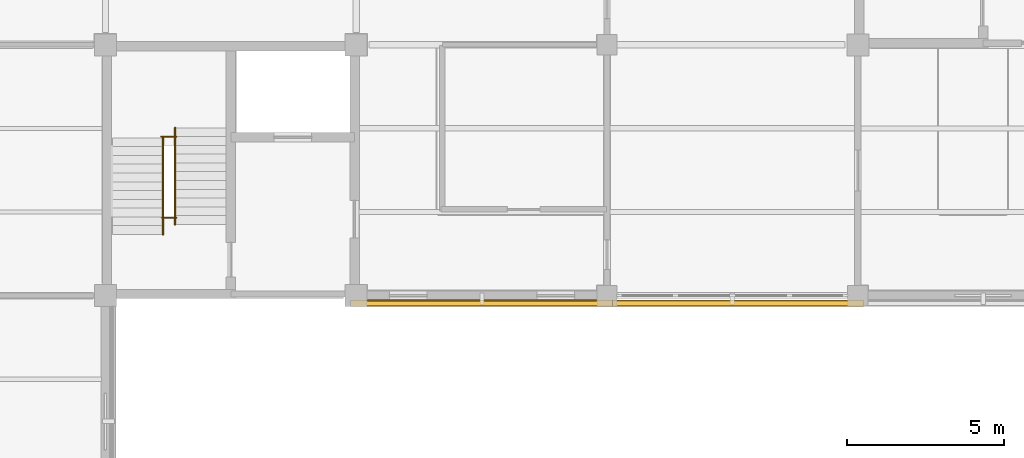
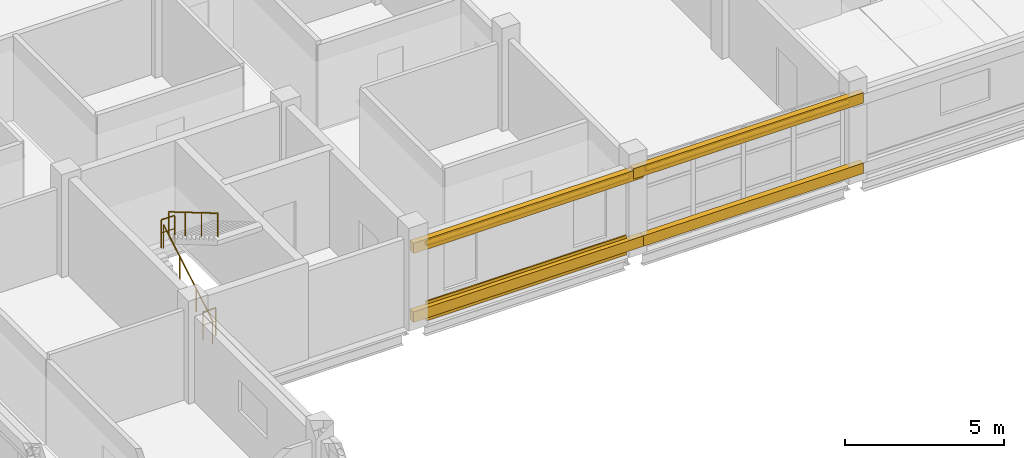
# One storey, part 99 of 107: 5 coverings, 4 railings, 2 shading devices.
"""IFC4 building model written with IfcOpenShell, lengths in metres."""

from ifc_helpers import new_model, si_unit, derived_unit, direction, frame, origin, origin_2d, place, context, subcontext, project, spatial, rectangle, circle, extrude, material, layer, layer_set, material_profile, profile_set, type_object, element, save


model = new_model("IFC4")

# Units and contexts
model_context = context("Model", 3, precision=1e-05, world=origin(), true_north=direction((0.0, 1.0)))
body_context = subcontext(model_context, "Body", "Model", "MODEL_VIEW")
ifc_project = project(units=[si_unit("LENGTHUNIT", "METRE"), si_unit("AREAUNIT", "SQUARE_METRE"), si_unit("VOLUMEUNIT", "CUBIC_METRE"), si_unit("PLANEANGLEUNIT", "RADIAN"), si_unit("MASSUNIT", "GRAM", prefix="KILO"), derived_unit("THERMALTRANSMITTANCEUNIT", [(si_unit("MASSUNIT", "GRAM", prefix="KILO"), 1), (si_unit("TIMEUNIT", "SECOND"), -3), (si_unit("THERMODYNAMICTEMPERATUREUNIT", "KELVIN"), -1)])], contexts=[model_context])

# Site, building, storey
site_placement = place(None, origin())
site = spatial("IfcSite", under=ifc_project, at=site_placement, CompositionType="ELEMENT")
building_placement = place(site_placement, origin())
building = spatial("IfcBuilding", under=site, at=building_placement, Name="Veyamyaing Civic Hall", CompositionType="ELEMENT")
storey_placement = place(building_placement, frame((0.0, 0.0, 13.860107421875)))
storey = spatial("IfcBuildingStorey", under=building, at=storey_placement, Name="L03", CompositionType="ELEMENT", Elevation=13.860107421875)

# Coverings
ifc_material_1 = material(Name="Buff sandstone ashlar cladding", Category="masonry")
ifc_layer_1 = layer(ifc_material_1, 0.050048828125, Name="Buff sandstone ashlar cladding")
ifc_layer_set_1 = layer_set([ifc_layer_1], Name="Buff sandstone ashlar cladding")
covering_type_1 = type_object("IfcCoveringType", Name="CL-01", PredefinedType="CLADDING", material=ifc_layer_set_1)
covering_placement = place(storey_placement, frame((20.012451171875, 87.839111328125, 0.044921875), z_axis=(0.0, 0.0, 1.0), x_axis=(1.0, 0.0, 0.0)))
element("IfcCovering", 1, at=covering_placement, inside=storey, type_object=covering_type_1, Name="Facade spandrel cladding CL-01 L03 S 3.12", PredefinedType="CLADDING", context=body_context, shape_type="SweptSolid", body=[
    extrude(rectangle(XDim=7.27490234375, YDim=0.050048828125, at=origin_2d()), origin(), (0.0, 0.0, 1.0), 0.75),
])
ifc_material_2 = material(Name="White powder-coated aluminium 6063-T6", Category="aluminium")
ifc_layer_2 = layer(ifc_material_2, 0.2099609375, Name="White powder-coated aluminium 6063-T6")
ifc_layer_set_2 = layer_set([ifc_layer_2], Name="White powder-coated aluminium 6063-T6")
covering_type_2 = type_object("IfcCoveringType", Name="CL-03", PredefinedType="CLADDING", material=ifc_layer_set_2)
for number, where, z_axis, x_axis, name in (
    (2, (20.0, 87.760009765625, 2.919921875), (0.0, 0.0, 1.0), (1.0, 0.0, 0.0), "Continuous white head fascia ribbon CL-03 L03 S 3.12"),
    (3, (20.0, 87.760009765625, 0.280029296875), (0.0, 0.0, 1.0), (1.0, 0.0, 0.0), "Continuous white sill fascia ribbon CL-03 L03 S 3.12"),
    (4, (28.0, 87.760009765625, 2.98388671875), (0.0, 0.0, 1.0), (1.0, 0.0, 0.0), "Continuous white head fascia ribbon CL-03 L03 S 4.12"),
    (5, (28.0, 87.760009765625, 0.280029296875), (0.0, 0.0, 1.0), (1.0, 0.0, 0.0), "Continuous white sill fascia ribbon CL-03 L03 S 4.12"),
):
    element("IfcCovering", number, at=place(storey_placement, frame(where, z_axis=z_axis, x_axis=x_axis)), inside=storey, type_object=covering_type_2, Name=name, PredefinedType="CLADDING", context=body_context, shape_type="SweptSolid", body=[
        extrude(rectangle(XDim=8.360107421875, YDim=0.2099609375, at=origin_2d()), origin(), (0.0, 0.0, 1.0), 0.39990234375),
    ])

# Railings
ifc_material_3 = material(Name="Steel S355J2", Category="steel")
railing_type_1 = type_object("IfcRailingType", Name="RL-01", PredefinedType="BALUSTRADE", material=ifc_material_3)
railing_1_placement = place(storey_placement, frame((9.780029296875, 93.070068359375, 1.97998046875)))
element("IfcRailing", 6, at=railing_1_placement, inside=storey, type_object=railing_type_1, Name="Half-landing slot guard RL-01 ST-01 L03", PredefinedType="BALUSTRADE", context=body_context, shape_type="SweptSolid", body=[
    extrude(circle(Radius=0.02392578125, at=origin_2d()), frame((0.0, 0.0, 1.076171875), z_axis=(1.0, 0.0, 0.0), x_axis=(0.0, 1.0, 0.0)), (0.0, 0.0, 1.0), 0.489990234375),
    extrude(circle(Radius=0.01416015625, at=origin_2d()), frame((0.0, 0.0, 0.572021484375), z_axis=(1.0, 0.0, 0.0), x_axis=(0.0, 1.0, 0.0)), (0.0, 0.0, 1.0), 0.489990234375),
    extrude(circle(Radius=0.02099609375, at=origin_2d()), origin(), (0.0, 0.0, 1.0), 1.052001953125),
    extrude(circle(Radius=0.02099609375, at=origin_2d()), frame((0.489990234375, 0.0, 0.0)), (0.0, 0.0, 1.0), 1.052001953125),
])
railing_2_placement = place(storey_placement, frame((9.800048828125, 90.47998046875, 0.0)))
element("IfcRailing", 7, at=railing_2_placement, inside=storey, type_object=railing_type_1, Name="Floor-landing slot guard RL-01 ST-01 L03", PredefinedType="BALUSTRADE", context=body_context, shape_type="SweptSolid", body=[
    extrude(circle(Radius=0.02392578125, at=origin_2d()), frame((0.0, 0.0, 1.076171875), z_axis=(1.0, 0.0, 0.0), x_axis=(0.0, 1.0, 0.0)), (0.0, 0.0, 1.0), 0.469970703125),
    extrude(circle(Radius=0.01416015625, at=origin_2d()), frame((0.0, 0.0, 0.572021484375), z_axis=(1.0, 0.0, 0.0), x_axis=(0.0, 1.0, 0.0)), (0.0, 0.0, 1.0), 0.469970703125),
    extrude(circle(Radius=0.02099609375, at=origin_2d()), origin(), (0.0, 0.0, 1.0), 1.052001953125),
    extrude(circle(Radius=0.02099609375, at=origin_2d()), frame((0.469970703125, 0.0, 0.0)), (0.0, 0.0, 1.0), 1.052001953125),
])
railing_type_2 = type_object("IfcRailingType", Name="RL-02", PredefinedType="HANDRAIL", material=ifc_material_3)
railing_3_placement = place(storey_placement, frame((9.840087890625, 89.949951171875, 0.164794921875)))
element("IfcRailing", 8, at=railing_3_placement, inside=storey, type_object=railing_type_2, Name="Stair pitch handrail RL-02 ST-01 L03.1", PredefinedType="HANDRAIL", context=body_context, shape_type="SweptSolid", body=[
    extrude(circle(Radius=0.02392578125, at=origin_2d()), frame((0.0, 0.0, 0.89599609375), z_axis=(0.0, 0.861521393093, 0.507721271215), x_axis=(-1.0, 0.0, 0.0)), (0.0, 0.0, 1.0), 3.5751953125),
    extrude(circle(Radius=0.02099609375, at=origin_2d()), origin(), (0.0, 0.0, 1.0), 0.871826171875),
    extrude(circle(Radius=0.02099609375, at=origin_2d()), frame((0.0, 1.026611328125, 0.60498046875)), (0.0, 0.0, 1.0), 0.871826171875),
    extrude(circle(Radius=0.02099609375, at=origin_2d()), frame((0.0, 2.053466796875, 1.210205078125)), (0.0, 0.0, 1.0), 0.871826171875),
    extrude(circle(Radius=0.02099609375, at=origin_2d()), frame((0.0, 3.080078125, 1.815185546875)), (0.0, 0.0, 1.0), 0.871826171875),
])
railing_4_placement = place(storey_placement, frame((10.219970703125, 93.35009765625, 2.144775390625)))
element("IfcRailing", 9, at=railing_4_placement, inside=storey, type_object=railing_type_2, Name="Stair pitch handrail RL-02 ST-01 L03.2", PredefinedType="HANDRAIL", context=body_context, shape_type="SweptSolid", body=[
    extrude(circle(Radius=0.02392578125, at=origin_2d()), frame((0.0, 0.0, 0.89599609375), z_axis=(0.0, -0.861521393093, 0.507721271215), x_axis=(1.0, 0.0, 0.0)), (0.0, 0.0, 1.0), 3.5751953125),
    extrude(circle(Radius=0.02099609375, at=origin_2d()), origin(), (0.0, 0.0, 1.0), 0.871826171875),
    extrude(circle(Radius=0.02099609375, at=origin_2d()), frame((0.0, -1.026611328125, 0.60498046875)), (0.0, 0.0, 1.0), 0.871826171875),
    extrude(circle(Radius=0.02099609375, at=origin_2d()), frame((0.0, -2.053466796875, 1.210205078125)), (0.0, 0.0, 1.0), 0.871826171875),
    extrude(circle(Radius=0.02099609375, at=origin_2d()), frame((0.0, -3.080078125, 1.815185546875)), (0.0, 0.0, 1.0), 0.871826171875),
])

# Shading devices
ifc_material_profile = material_profile(ifc_material_2, circle(Radius=0.090087890625, at=origin_2d()), Name="SHADE-TUBE-180")
ifc_profile_set = profile_set([ifc_material_profile], Name="White powder-coated aluminium 6063-T6")
shading_device_type = type_object("IfcShadingDeviceType", Name="SH-02", PredefinedType="USERDEFINED", material=ifc_profile_set)
shading_device_1_placement = place(storey_placement, frame((16.3349609375, 87.760009765625, 3.079833984375), z_axis=(1.0, 0.0, 0.0), x_axis=(0.0, 1.0, 0.0)))
element("IfcShadingDevice", 10, at=shading_device_1_placement, inside=storey, type_object=shading_device_type, Name="Horizontal white sunshade ribbon SH-02 L03 S 3.12", ObjectType="SUNSHADE", PredefinedType="USERDEFINED", context=body_context, shape_type="SweptSolid", body=[
    extrude(circle(Radius=0.090087890625, at=origin_2d()), origin(), (0.0, 0.0, 1.0), 7.35498046875),
])
shading_device_2_placement = place(storey_placement, frame((24.31005859375, 87.760009765625, 3.143798828125), z_axis=(1.0, 0.0, 0.0), x_axis=(0.0, 1.0, 0.0)))
element("IfcShadingDevice", 11, at=shading_device_2_placement, inside=storey, type_object=shading_device_type, Name="Horizontal white sunshade ribbon SH-02 L03 S 4.12", ObjectType="SUNSHADE", PredefinedType="USERDEFINED", context=body_context, shape_type="SweptSolid", body=[
    extrude(circle(Radius=0.090087890625, at=origin_2d()), origin(), (0.0, 0.0, 1.0), 7.3798828125),
])

save(model, "model.ifc")
